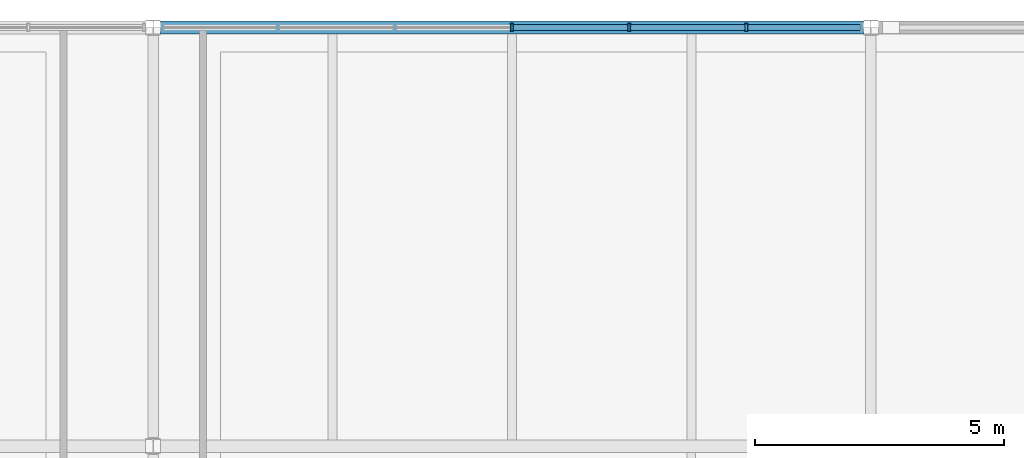
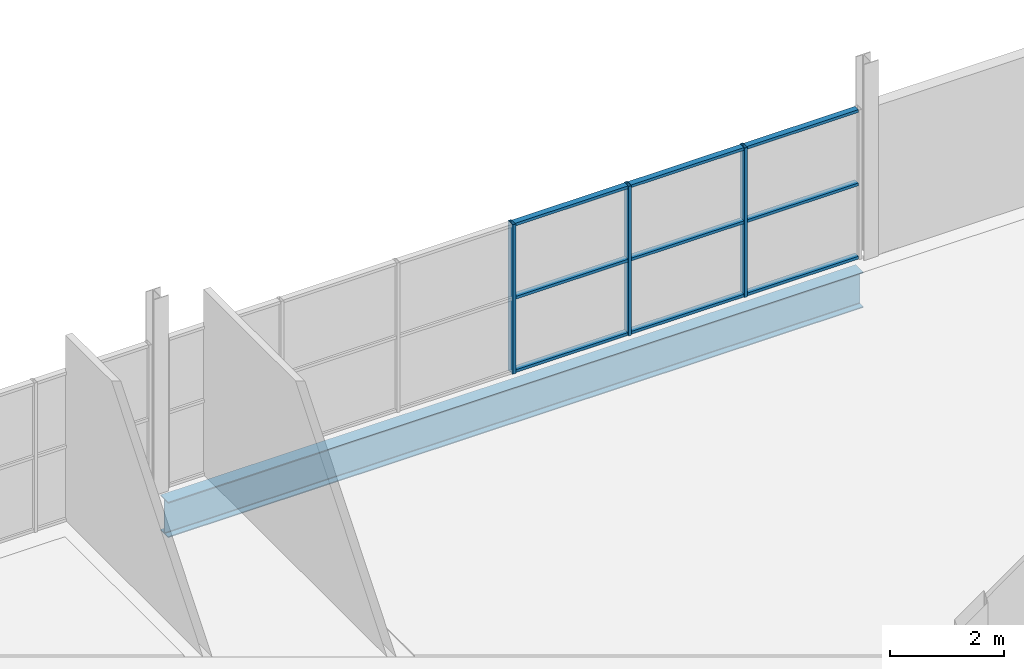
# One storey, part 47 of 68: 12 members, 1 beam, 1 element without a shape of its own.
"""IFC4 building model written with IfcOpenShell, lengths in metres."""

from ifc_helpers import new_model, si_unit, direction, frame, origin, origin_2d, place, context, subcontext, project, spatial, hollow_rectangle, i_section, extrude, material, material_profile, profile_set, type_object, element, aggregate, save


model = new_model("IFC4")

# Units and contexts
model_context = context("Model", 3, precision=1e-05, world=origin(), true_north=direction((0.0, 1.0)))
body_context = subcontext(model_context, "Body", "Model", "MODEL_VIEW")
ifc_project = project(units=[si_unit("LENGTHUNIT", "METRE"), si_unit("AREAUNIT", "SQUARE_METRE"), si_unit("VOLUMEUNIT", "CUBIC_METRE"), si_unit("PLANEANGLEUNIT", "RADIAN"), si_unit("MASSUNIT", "GRAM", prefix="KILO"), si_unit("THERMODYNAMICTEMPERATUREUNIT", "KELVIN")], contexts=[model_context])

# Site, building, storey
site_placement = place(None, origin())
site = spatial("IfcSite", under=ifc_project, at=site_placement, CompositionType="ELEMENT")
building_placement = place(site_placement, origin())
building = spatial("IfcBuilding", under=site, at=building_placement, Name="Nduvali Passage Aquatics Centre", CompositionType="ELEMENT")
storey_placement = place(building_placement, frame((0.0, 0.0, 13.199951171875)))
storey = spatial("IfcBuildingStorey", under=building, at=storey_placement, Name="L03", CompositionType="ELEMENT", Elevation=13.199951171875)

# Curtain wall, members
ifc_material_1 = material(Name="Aluminium EN AW-6063 T6", Category="aluminium")
curtain_wall_type = type_object("IfcCurtainWallType", Name="ENV-CW-WELL", PredefinedType="NOTDEFINED", material=ifc_material_1)
curtain_wall_placement = place(storey_placement, origin())
curtain_wall = element("IfcCurtainWall", 1, at=curtain_wall_placement, inside=storey, type_object=curtain_wall_type, Name="L03 North Avenue Teaching CW 114", PredefinedType="NOTDEFINED")
ifc_material_profile_1 = material_profile(ifc_material_1, hollow_rectangle(XDim=0.06005859375, YDim=0.159912109375, WallThickness=0.00390625, at=origin_2d()), Name="ALU MULLION 60x160x4")
ifc_profile_set_1 = profile_set([ifc_material_profile_1], Name="Aluminium EN AW-6063 T6")
member_type_1 = type_object("IfcMemberType", Name="ENV-MEM-MUL60", PredefinedType="MULLION", material=ifc_profile_set_1)
member_1_placement = place(storey_placement, frame((104.39990234375, 117.60009765625, 0.0), z_axis=(0.0, 0.0, 1.0), x_axis=(1.0, 0.0, 0.0)))
member_1 = element("IfcMember", 2, at=member_1_placement, type_object=member_type_1, Name="North Avenue Teaching CW Mullion 4", PredefinedType="MULLION", context=body_context, shape_type="SweptSolid", body=[
    extrude(hollow_rectangle(XDim=0.06005859375, YDim=0.159912109375, WallThickness=0.00390625, at=origin_2d()), origin(), (0.0, 0.0, 1.0), 3.203857421875),
])
member_2_placement = place(storey_placement, frame((106.75, 117.60009765625, 0.0), z_axis=(0.0, 0.0, 1.0), x_axis=(1.0, 0.0, 0.0)))
member_2 = element("IfcMember", 3, at=member_2_placement, type_object=member_type_1, Name="North Avenue Teaching CW Mullion 5", PredefinedType="MULLION", context=body_context, shape_type="SweptSolid", body=[
    extrude(hollow_rectangle(XDim=0.06005859375, YDim=0.159912109375, WallThickness=0.00390625, at=origin_2d()), origin(), (0.0, 0.0, 1.0), 3.203857421875),
])
member_3_placement = place(storey_placement, frame((109.10009765625, 117.60009765625, 0.0), z_axis=(0.0, 0.0, 1.0), x_axis=(1.0, 0.0, 0.0)))
member_3 = element("IfcMember", 4, at=member_3_placement, type_object=member_type_1, Name="North Avenue Teaching CW Mullion 6", PredefinedType="MULLION", context=body_context, shape_type="SweptSolid", body=[
    extrude(hollow_rectangle(XDim=0.06005859375, YDim=0.159912109375, WallThickness=0.00390625, at=origin_2d()), origin(), (0.0, 0.0, 1.0), 3.203857421875),
])
ifc_material_profile_2 = material_profile(ifc_material_1, hollow_rectangle(XDim=0.1201171875, YDim=0.06005859375, WallThickness=0.00390625, at=origin_2d()), Name="ALU TRANSOM 120x60x4")
ifc_profile_set_2 = profile_set([ifc_material_profile_2], Name="Aluminium EN AW-6063 T6")
member_type_2 = type_object("IfcMemberType", Name="ENV-MEM-TRN60", PredefinedType="USERDEFINED", material=ifc_profile_set_2)
member_4_placement = place(storey_placement, frame((104.429931640625, 117.60009765625, 0.030029296875), z_axis=(1.0, 0.0, 0.0), x_axis=(0.0, 1.0, 0.0)))
member_4 = element("IfcMember", 5, at=member_4_placement, type_object=member_type_2, Name="North Avenue Teaching CW Transom B4-R0", ObjectType="TRANSOM", PredefinedType="USERDEFINED", context=body_context, shape_type="SweptSolid", body=[
    extrude(hollow_rectangle(XDim=0.1201171875, YDim=0.06005859375, WallThickness=0.00390625, at=origin_2d()), origin(), (0.0, 0.0, 1.0), 2.2900390625),
])
member_5_placement = place(storey_placement, frame((104.429931640625, 117.60009765625, 1.60205078125), z_axis=(1.0, 0.0, 0.0), x_axis=(0.0, 1.0, 0.0)))
member_5 = element("IfcMember", 6, at=member_5_placement, type_object=member_type_2, Name="North Avenue Teaching CW Transom B4-R1", ObjectType="TRANSOM", PredefinedType="USERDEFINED", context=body_context, shape_type="SweptSolid", body=[
    extrude(hollow_rectangle(XDim=0.1201171875, YDim=0.06005859375, WallThickness=0.00390625, at=origin_2d()), origin(), (0.0, 0.0, 1.0), 2.2900390625),
])
member_6_placement = place(storey_placement, frame((104.429931640625, 117.60009765625, 3.173828125), z_axis=(1.0, 0.0, 0.0), x_axis=(0.0, 1.0, 0.0)))
member_6 = element("IfcMember", 7, at=member_6_placement, type_object=member_type_2, Name="North Avenue Teaching CW Transom B4-R2", ObjectType="TRANSOM", PredefinedType="USERDEFINED", context=body_context, shape_type="SweptSolid", body=[
    extrude(hollow_rectangle(XDim=0.1201171875, YDim=0.06005859375, WallThickness=0.00390625, at=origin_2d()), origin(), (0.0, 0.0, 1.0), 2.2900390625),
])
member_7_placement = place(storey_placement, frame((106.780029296875, 117.60009765625, 0.030029296875), z_axis=(1.0, 0.0, 0.0), x_axis=(0.0, 1.0, 0.0)))
member_7 = element("IfcMember", 8, at=member_7_placement, type_object=member_type_2, Name="North Avenue Teaching CW Transom B5-R0", ObjectType="TRANSOM", PredefinedType="USERDEFINED", context=body_context, shape_type="SweptSolid", body=[
    extrude(hollow_rectangle(XDim=0.1201171875, YDim=0.06005859375, WallThickness=0.00390625, at=origin_2d()), origin(), (0.0, 0.0, 1.0), 2.2900390625),
])
member_8_placement = place(storey_placement, frame((106.780029296875, 117.60009765625, 1.60205078125), z_axis=(1.0, 0.0, 0.0), x_axis=(0.0, 1.0, 0.0)))
member_8 = element("IfcMember", 9, at=member_8_placement, type_object=member_type_2, Name="North Avenue Teaching CW Transom B5-R1", ObjectType="TRANSOM", PredefinedType="USERDEFINED", context=body_context, shape_type="SweptSolid", body=[
    extrude(hollow_rectangle(XDim=0.1201171875, YDim=0.06005859375, WallThickness=0.00390625, at=origin_2d()), origin(), (0.0, 0.0, 1.0), 2.2900390625),
])
member_9_placement = place(storey_placement, frame((106.780029296875, 117.60009765625, 3.173828125), z_axis=(1.0, 0.0, 0.0), x_axis=(0.0, 1.0, 0.0)))
member_9 = element("IfcMember", 10, at=member_9_placement, type_object=member_type_2, Name="North Avenue Teaching CW Transom B5-R2", ObjectType="TRANSOM", PredefinedType="USERDEFINED", context=body_context, shape_type="SweptSolid", body=[
    extrude(hollow_rectangle(XDim=0.1201171875, YDim=0.06005859375, WallThickness=0.00390625, at=origin_2d()), origin(), (0.0, 0.0, 1.0), 2.2900390625),
])
member_10_placement = place(storey_placement, frame((109.1298828125, 117.60009765625, 0.030029296875), z_axis=(1.0, 0.0, 0.0), x_axis=(0.0, 1.0, 0.0)))
member_10 = element("IfcMember", 11, at=member_10_placement, type_object=member_type_2, Name="North Avenue Teaching CW Transom B6-R0", ObjectType="TRANSOM", PredefinedType="USERDEFINED", context=body_context, shape_type="SweptSolid", body=[
    extrude(hollow_rectangle(XDim=0.1201171875, YDim=0.06005859375, WallThickness=0.00390625, at=origin_2d()), origin(), (0.0, 0.0, 1.0), 2.260009765625),
])
member_11_placement = place(storey_placement, frame((109.1298828125, 117.60009765625, 1.60205078125), z_axis=(1.0, 0.0, 0.0), x_axis=(0.0, 1.0, 0.0)))
member_11 = element("IfcMember", 12, at=member_11_placement, type_object=member_type_2, Name="North Avenue Teaching CW Transom B6-R1", ObjectType="TRANSOM", PredefinedType="USERDEFINED", context=body_context, shape_type="SweptSolid", body=[
    extrude(hollow_rectangle(XDim=0.1201171875, YDim=0.06005859375, WallThickness=0.00390625, at=origin_2d()), origin(), (0.0, 0.0, 1.0), 2.260009765625),
])
member_12_placement = place(storey_placement, frame((109.1298828125, 117.60009765625, 3.173828125), z_axis=(1.0, 0.0, 0.0), x_axis=(0.0, 1.0, 0.0)))
member_12 = element("IfcMember", 13, at=member_12_placement, type_object=member_type_2, Name="North Avenue Teaching CW Transom B6-R2", ObjectType="TRANSOM", PredefinedType="USERDEFINED", context=body_context, shape_type="SweptSolid", body=[
    extrude(hollow_rectangle(XDim=0.1201171875, YDim=0.06005859375, WallThickness=0.00390625, at=origin_2d()), origin(), (0.0, 0.0, 1.0), 2.260009765625),
])
aggregate(curtain_wall, [member_1, member_2, member_3, member_4, member_5, member_6, member_7, member_8, member_9, member_10, member_11, member_12])

# Beam
ifc_material_2 = material(Name="Steel S355", Category="steel")
ifc_material_profile_3 = material_profile(ifc_material_2, i_section(OverallWidth=0.2666015625, OverallDepth=0.76220703125, WebThickness=0.014404296875, FlangeThickness=0.021484375, FilletRadius=0.0166015625, at=origin_2d()), Name="UKB 762x267x173")
ifc_profile_set_3 = profile_set([ifc_material_profile_3], Name="Steel S355")
beam_type = type_object("IfcBeamType", Name="STR-BM-UKB762-EXT", PredefinedType="BEAM", material=ifc_profile_set_3)
beam_placement = place(storey_placement, frame((97.35009765625, 117.60009765625, -0.635009765625), z_axis=(1.0, 0.0, 0.0), x_axis=(0.0, 1.0, 0.0)))
element("IfcBeam", 14, at=beam_placement, inside=storey, type_object=beam_type, Name="L03 Primary X-Girder B4CE-1237", PredefinedType="BEAM", context=body_context, shape_type="SweptSolid", body=[
    extrude(i_section(OverallWidth=0.2666015625, OverallDepth=0.76220703125, WebThickness=0.014404296875, FlangeThickness=0.021484375, FilletRadius=0.0166015625, at=origin_2d()), origin(), (0.0, 0.0, 1.0), 14.099853515625),
])

save(model, "model.ifc")
